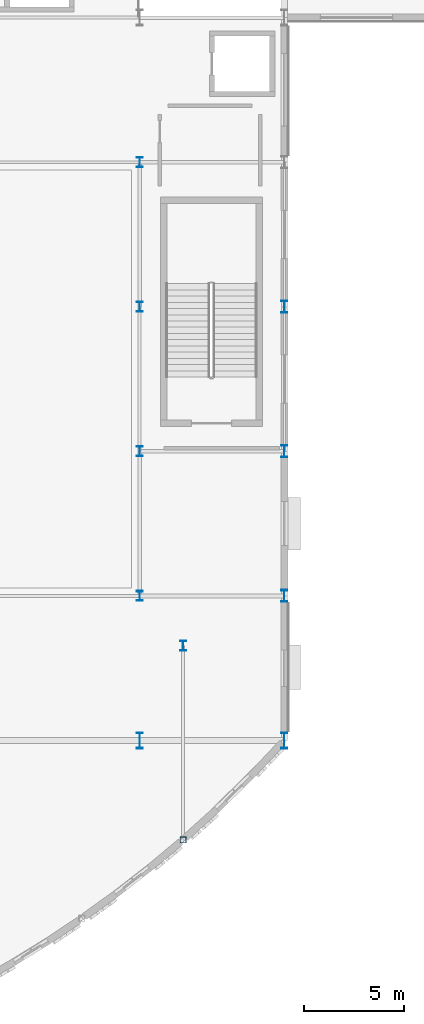
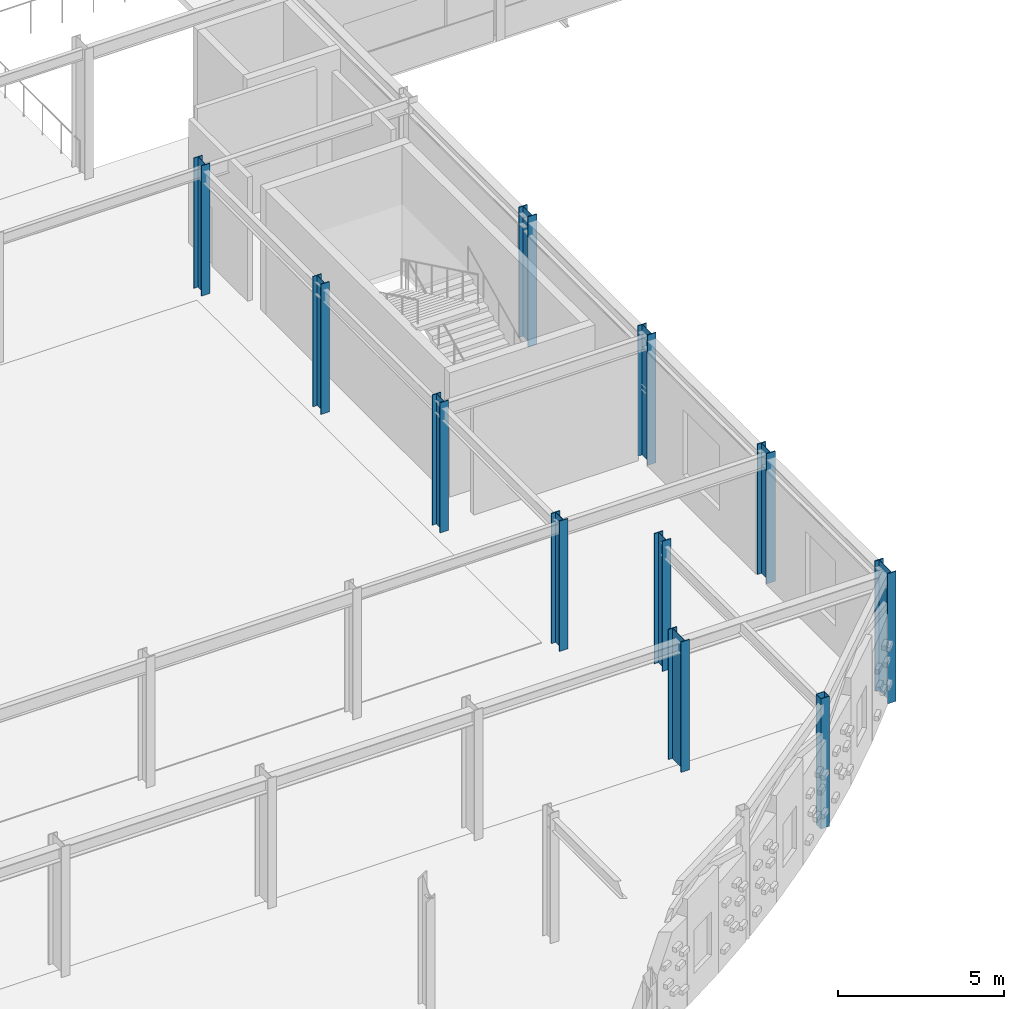
# One storey, part 15 of 83: 11 columns.
"""IFC4 building model written with IfcOpenShell, lengths in metres."""

from ifc_helpers import new_model, si_unit, direction, frame, origin, origin_2d, place, context, subcontext, project, spatial, hollow_rectangle, i_section, extrude, material, material_profile, profile_set, type_object, element, save


model = new_model("IFC4")

# Units and contexts
model_context = context("Model", 3, precision=1e-05, world=origin(), true_north=direction((0.0, 1.0)))
body_context = subcontext(model_context, "Body", "Model", "MODEL_VIEW")
ifc_project = project(units=[si_unit("LENGTHUNIT", "METRE"), si_unit("AREAUNIT", "SQUARE_METRE"), si_unit("VOLUMEUNIT", "CUBIC_METRE"), si_unit("PLANEANGLEUNIT", "RADIAN"), si_unit("MASSUNIT", "GRAM", prefix="KILO")], contexts=[model_context])

# Site, building, storey
site_placement = place(None, origin())
site = spatial("IfcSite", under=ifc_project, at=site_placement, CompositionType="ELEMENT")
building_placement = place(site_placement, origin())
building = spatial("IfcBuilding", under=site, at=building_placement, Name="Solvadek Multi-Sports Hall", CompositionType="ELEMENT")
storey_placement = place(building_placement, origin())
storey = spatial("IfcBuildingStorey", under=building, at=storey_placement, Name="L00", CompositionType="ELEMENT", Elevation=0.0)

# Columns
ifc_material = material(Name="Steel E350 (350 MPa)", Category="steel")
ifc_material_profile_1 = material_profile(ifc_material, hollow_rectangle(XDim=0.300048828125, YDim=0.300048828125, WallThickness=0.012451171875, at=origin_2d()), Name="SHS 300x300x12.5")
ifc_profile_set_1 = profile_set([ifc_material_profile_1], Name="Steel E350 (350 MPa)")
column_type_1 = type_object("IfcColumnType", Name="STR-COL-SHS300", PredefinedType="COLUMN", material=ifc_profile_set_1)
column_placement = place(storey_placement, frame((131.760009765625, 1.05615234375, 0.0), z_axis=(0.0, 0.0, 1.0), x_axis=(1.0, 0.0, 0.0)))
element("IfcColumn", 1, at=column_placement, inside=storey, type_object=column_type_1, Name="L00 Column C-10 #307", PredefinedType="COLUMN", context=body_context, shape_type="SweptSolid", body=[
    extrude(hollow_rectangle(XDim=0.300048828125, YDim=0.300048828125, WallThickness=0.012451171875, at=origin_2d()), origin(), (0.0, 0.0, 1.0), 4.800048828125),
])
ifc_material_profile_2 = material_profile(ifc_material, i_section(OverallWidth=0.300048828125, OverallDepth=0.5, WebThickness=0.014404296875, FlangeThickness=0.028076171875, at=origin_2d()), Name="WPB 500")
ifc_profile_set_2 = profile_set([ifc_material_profile_2], Name="Steel E350 (350 MPa)")
column_type_2 = type_object("IfcColumnType", Name="STR-COL-WPB500", PredefinedType="COLUMN", material=ifc_profile_set_2)
for number, where, z_axis, x_axis, name in (
    (2, (129.60009765625, 13.199951171875, 0.0), (0.0, 0.0, 1.0), (1.0, 0.0, 0.0), "L00 Column C-05 #231"),
    (3, (129.60009765625, 20.39990234375, 0.0), (0.0, 0.0, 1.0), (1.0, 0.0, 0.0), "L00 Column C-05 #232"),
    (4, (129.60009765625, 27.60009765625, 0.0), (0.0, 0.0, 1.0), (1.0, 0.0, 0.0), "L00 Column C-05 #233"),
    (5, (129.60009765625, 34.800048828125, 0.0), (0.0, 0.0, 1.0), (1.0, 0.0, 0.0), "L00 Column C-05 #234"),
    (6, (131.760009765625, 10.72802734375, 0.0), (0.0, 0.0, 1.0), (1.0, 0.0, 0.0), "L00 Column C-05 #308"),
):
    element("IfcColumn", number, at=place(storey_placement, frame(where, z_axis=z_axis, x_axis=x_axis)), inside=storey, type_object=column_type_2, Name=name, PredefinedType="COLUMN", context=body_context, shape_type="SweptSolid", body=[
        extrude(i_section(OverallWidth=0.300048828125, OverallDepth=0.5, WebThickness=0.014404296875, FlangeThickness=0.028076171875, at=origin_2d()), origin(), (0.0, 0.0, 1.0), 4.800048828125),
    ])
ifc_material_profile_3 = material_profile(ifc_material, i_section(OverallWidth=0.300048828125, OverallDepth=0.60009765625, WebThickness=0.015380859375, FlangeThickness=0.030029296875, at=origin_2d()), Name="WPB 600")
ifc_profile_set_3 = profile_set([ifc_material_profile_3], Name="Steel E350 (350 MPa)")
column_type_3 = type_object("IfcColumnType", Name="STR-COL-WPB600", PredefinedType="COLUMN", material=ifc_profile_set_3)
for number, where, z_axis, x_axis, name in (
    (7, (136.800048828125, 13.199951171875, 0.0), (0.0, 0.0, 1.0), (1.0, 0.0, 0.0), "L00 Column C-03 #237"),
    (8, (136.800048828125, 20.39990234375, 0.0), (0.0, 0.0, 1.0), (1.0, 0.0, 0.0), "L00 Column C-03 #238"),
    (9, (136.800048828125, 27.60009765625, 0.0), (0.0, 0.0, 1.0), (1.0, 0.0, 0.0), "L00 Column C-03 #239"),
):
    element("IfcColumn", number, at=place(storey_placement, frame(where, z_axis=z_axis, x_axis=x_axis)), inside=storey, type_object=column_type_3, Name=name, PredefinedType="COLUMN", context=body_context, shape_type="SweptSolid", body=[
        extrude(i_section(OverallWidth=0.300048828125, OverallDepth=0.60009765625, WebThickness=0.015380859375, FlangeThickness=0.030029296875, at=origin_2d()), origin(), (0.0, 0.0, 1.0), 4.800048828125),
    ])
ifc_material_profile_4 = material_profile(ifc_material, i_section(OverallWidth=0.300048828125, OverallDepth=0.800048828125, WebThickness=0.017578125, FlangeThickness=0.032958984375, at=origin_2d()), Name="WPB 800")
ifc_profile_set_4 = profile_set([ifc_material_profile_4], Name="Steel E350 (350 MPa)")
column_type_4 = type_object("IfcColumnType", Name="STR-COL-WPB800", PredefinedType="COLUMN", material=ifc_profile_set_4)
for number, where, z_axis, x_axis, name in (
    (10, (129.60009765625, 6.0, 0.0), (0.0, 0.0, 1.0), (1.0, 0.0, 0.0), "L00 Column C-01 #230"),
    (11, (136.800048828125, 6.0, 0.0), (0.0, 0.0, 1.0), (1.0, 0.0, 0.0), "L00 Column C-01 #236"),
):
    element("IfcColumn", number, at=place(storey_placement, frame(where, z_axis=z_axis, x_axis=x_axis)), inside=storey, type_object=column_type_4, Name=name, PredefinedType="COLUMN", context=body_context, shape_type="SweptSolid", body=[
        extrude(i_section(OverallWidth=0.300048828125, OverallDepth=0.800048828125, WebThickness=0.017578125, FlangeThickness=0.032958984375, at=origin_2d()), origin(), (0.0, 0.0, 1.0), 4.800048828125),
    ])

save(model, "model.ifc")
